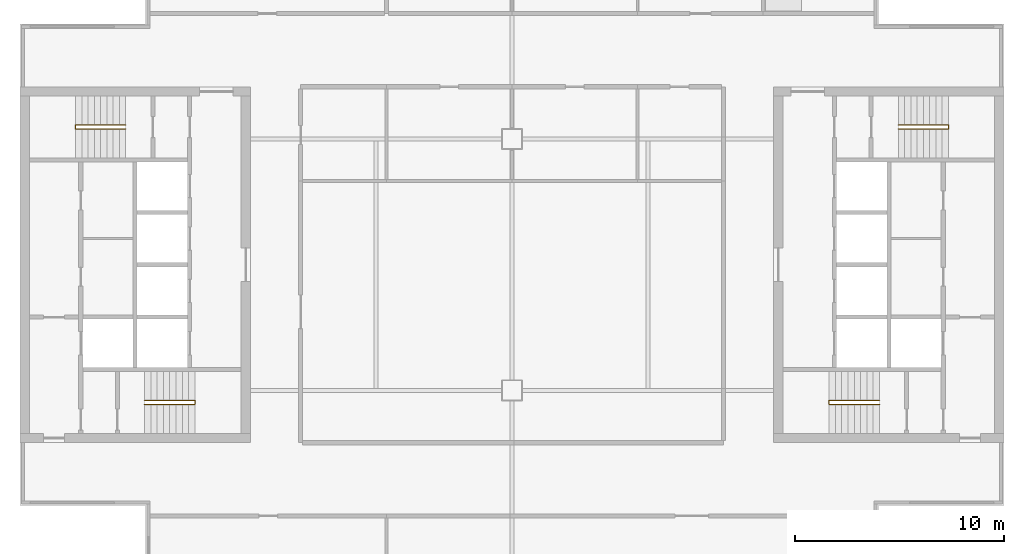
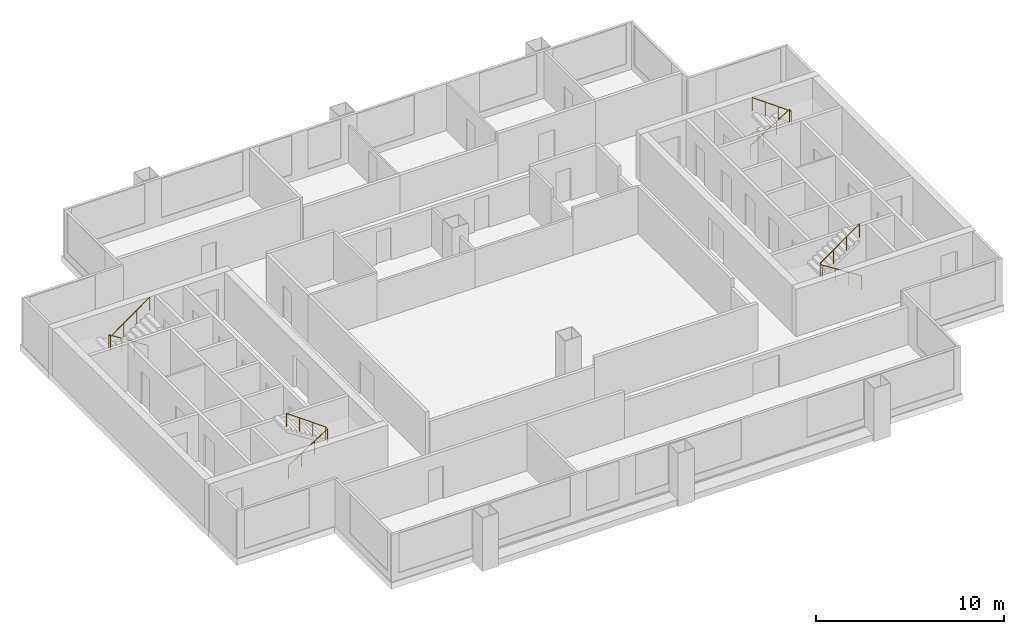
# One storey, part 6 of 7: 4 railings.
"""IFC4 building model written with IfcOpenShell, lengths in metres."""

import ifcopenshell
import ifcopenshell.guid

model = None  # the IFC model being written
_history = None  # IfcOwnerHistory: only IFC2X3 demands one
_inside = {}  # id of a spatial element -> (the spatial element, [elements in it])
_under = {}  # id of a project, library or spatial element -> (it, [spatial elements below it])
_declared = {}  # id of a project -> (the project, [libraries it declares])
_typed = {}  # id of a type object -> (the type object, [elements of that type])
_made_of = {}  # id of a material, layer set ... -> (it, [elements and type objects made of it])


def new_model(schema):
    """Start an empty IFC model of exactly this schema.

    Asked for "IFC4X3", IfcOpenShell would pick the latest addendum, in which some entities
    have other attributes; the version numbers below select the first issue.
    IFC2X3 requires an IfcOwnerHistory on every rooted entity: one is made here for all.
    """
    global model, _history
    if schema == "IFC4X3":
        model = ifcopenshell.file(schema_version=(4, 3, 0, 0))
    else:
        model = ifcopenshell.file(schema=schema)
    _inside.clear()
    _under.clear()
    _declared.clear()
    _typed.clear()
    _made_of.clear()
    _history = None
    if model.schema == "IFC2X3":
        org = make("IfcOrganization", Name="unknown")
        user = make(
            "IfcPersonAndOrganization",
            ThePerson=make("IfcPerson", FamilyName="unknown"),
            TheOrganization=org,
        )
        app = make(
            "IfcApplication",
            ApplicationDeveloper=org,
            Version="unknown",
            ApplicationFullName="unknown",
            ApplicationIdentifier="unknown",
        )
        _history = make(
            "IfcOwnerHistory",
            OwningUser=user,
            OwningApplication=app,
            ChangeAction="ADDED",
            CreationDate=0,
        )
    return model


def make(cls, **values):
    """One entity of the class cls with the attributes given. An attribute that is None is left unset."""
    return model.create_entity(
        cls, **{name: value for name, value in values.items() if value is not None}
    )


def rooted(cls, **values):
    """An entity with a GlobalId (a new one), such as an element, a storey or a relation."""
    return make(cls, GlobalId=ifcopenshell.guid.new(), OwnerHistory=_history, **values)


def si_unit(unit_type, name, prefix=None):
    """IfcSIUnit, for example si_unit("LENGTHUNIT", "METRE", prefix="MILLI")."""
    return make("IfcSIUnit", UnitType=unit_type, Prefix=prefix, Name=name)


def assignment(units):
    """IfcUnitAssignment: the units of a project."""
    return None if units is None else make("IfcUnitAssignment", Units=units)


def point(xyz):
    """IfcCartesianPoint."""
    return None if xyz is None else make("IfcCartesianPoint", Coordinates=xyz)


def direction(xyz):
    """IfcDirection."""
    return None if xyz is None else make("IfcDirection", DirectionRatios=xyz)


def frame(location, z_axis=None, x_axis=None):
    """IfcAxis2Placement3D, a coordinate frame: its origin and axes. An axis left out is left unset."""
    return make(
        "IfcAxis2Placement3D",
        Location=point(location),
        Axis=direction(z_axis),
        RefDirection=direction(x_axis),
    )


def frame_2d(location, x_axis=None):
    """IfcAxis2Placement2D, a coordinate frame in the plane: its origin and x axis."""
    return make(
        "IfcAxis2Placement2D", Location=point(location), RefDirection=direction(x_axis)
    )


def origin():
    """The frame at (0, 0, 0) with its axes left unset."""
    return frame((0.0, 0.0, 0.0))


def origin_2d():
    """The frame at (0, 0) in the plane with its x axis left unset."""
    return frame_2d((0.0, 0.0))


def place(relative_to, where):
    """IfcLocalPlacement: puts the frame where relative to a parent placement (None: the world)."""
    return make(
        "IfcLocalPlacement", PlacementRelTo=relative_to, RelativePlacement=where
    )


def context(
    kind, dimensions, precision=None, world=None, true_north=None, identifier=None
):
    """IfcGeometricRepresentationContext, for example the 3D "Model" context."""
    return make(
        "IfcGeometricRepresentationContext",
        ContextIdentifier=identifier,
        ContextType=kind,
        CoordinateSpaceDimension=dimensions,
        Precision=precision,
        WorldCoordinateSystem=world,
        TrueNorth=true_north,
    )


def subcontext(parent, identifier, kind, view, scale=None):
    """IfcGeometricRepresentationSubContext, for example "Body" below "Model"."""
    return make(
        "IfcGeometricRepresentationSubContext",
        ContextIdentifier=identifier,
        ContextType=kind,
        ParentContext=parent,
        TargetScale=scale,
        TargetView=view,
    )


def project(units=None, contexts=None):
    """IfcProject with its units and contexts."""
    return rooted(
        "IfcProject",
        Name="project",
        RepresentationContexts=contexts,
        UnitsInContext=assignment(units),
    )


def spatial(cls, under=None, at=None, **own):
    """A site, building, storey or space (cls), placed at a placement, below another one or the project."""
    s = rooted(cls, ObjectPlacement=at, **own)
    if under is not None:
        _under.setdefault(under.id(), (under, []))[1].append(s)
    return s


def profile(cls, at=None, kind="AREA", **sizes):
    """A parametric profile (cls). Its sizes go by their IFC names, for example OverallWidth=200.0."""
    return make(cls, ProfileType=kind, Position=at, **sizes)


def circle(**sizes):
    """IfcCircleProfileDef."""
    return profile("IfcCircleProfileDef", **sizes)


def extrude(swept, where, along, depth):
    """IfcExtrudedAreaSolid: the profile swept, set in the frame where, extruded along a direction by depth."""
    return make(
        "IfcExtrudedAreaSolid",
        SweptArea=swept,
        Position=where,
        ExtrudedDirection=direction(along),
        Depth=depth,
    )


def shape(context_of_items, identifier, shape_type, items):
    """IfcShapeRepresentation: the items that make up one representation, for example the "Body"."""
    return make(
        "IfcShapeRepresentation",
        ContextOfItems=context_of_items,
        RepresentationIdentifier=identifier,
        RepresentationType=shape_type,
        Items=items,
    )


def material(Name=None, Category=None):
    """IfcMaterial."""
    return make("IfcMaterial", Name=Name, Category=Category)


def made_of(thing, what):
    """Note that an element or type object is made of a material, layer set ...; save() writes the relation."""
    if what is not None:
        _made_of.setdefault(what.id(), (what, []))[1].append(thing)
    return thing


def type_object(cls, material=None, **own):
    """A type object (cls), such as IfcWallType, which elements share."""
    return made_of(rooted(cls, **own), material)


def element(
    cls,
    number,
    at=None,
    inside=None,
    cuts=None,
    type_object=None,
    material=None,
    context=None,
    identifier="Body",
    shape_type=None,
    held_by="IfcProductDefinitionShape",
    body=None,
    shapes=None,
    **own,
):
    """One element of the class cls, such as IfcWall. Its Tag is "e" and its number.

    at: its placement. inside: the storey or other place that contains it. cuts: it is an
    opening in that element (IfcRelVoidsElement). A single representation is given by context,
    identifier, shape_type and body (its items); several are given by shapes. held_by: the class
    of the entity that holds the representations. save() writes the other relations.
    """
    e = rooted(cls, Tag="e%d" % number, ObjectPlacement=at, **own)
    if body is not None:
        shapes = [shape(context, identifier, shape_type, body)]
    if shapes is not None:
        e.Representation = make(held_by, Representations=shapes)
    if inside is not None:
        _inside.setdefault(inside.id(), (inside, []))[1].append(e)
    if cuts is not None:
        rooted(
            "IfcRelVoidsElement", RelatingBuildingElement=cuts, RelatedOpeningElement=e
        )
    if type_object is not None:
        _typed.setdefault(type_object.id(), (type_object, []))[1].append(e)
    return made_of(e, material)


def aggregate(whole, parts):
    """IfcRelAggregates: a whole, such as a stair, and the parts it consists of."""
    return rooted("IfcRelAggregates", RelatingObject=whole, RelatedObjects=parts)


def save(model, path):
    """Write the relations noted so far, then the file.

    IfcRelAggregates (storeys below a building ...), IfcRelContainedInSpatialStructure (elements
    in a storey), IfcRelDefinesByType, IfcRelAssociatesMaterial and IfcRelDeclares: one each for
    every whole, place, type object, material and project.
    """
    for whole, parts in _under.values():
        aggregate(whole, parts)
    for where, things in _inside.values():
        rooted(
            "IfcRelContainedInSpatialStructure",
            RelatedElements=things,
            RelatingStructure=where,
        )
    for kind, things in _typed.values():
        rooted("IfcRelDefinesByType", RelatedObjects=things, RelatingType=kind)
    for what, things in _made_of.values():
        rooted("IfcRelAssociatesMaterial", RelatedObjects=things, RelatingMaterial=what)
    for by, libraries in _declared.values():
        rooted("IfcRelDeclares", RelatingContext=by, RelatedDefinitions=libraries)
    model.write(path)


model = new_model("IFC4")

# Units and contexts
model_context = context("Model", 3, precision=1e-05, world=origin(), true_north=direction((0.0, 1.0)))
body_context = subcontext(model_context, "Body", "Model", "MODEL_VIEW")
ifc_project = project(units=[si_unit("LENGTHUNIT", "METRE"), si_unit("AREAUNIT", "SQUARE_METRE"), si_unit("VOLUMEUNIT", "CUBIC_METRE"), si_unit("PLANEANGLEUNIT", "RADIAN"), si_unit("MASSUNIT", "GRAM", prefix="KILO")], contexts=[model_context])

# Site, building, storey
site_placement = place(None, origin())
site = spatial("IfcSite", under=ifc_project, at=site_placement, CompositionType="ELEMENT")
building_placement = place(site_placement, origin())
building = spatial("IfcBuilding", under=site, at=building_placement, Name="Kitamizu Gate Tower and Museum", CompositionType="ELEMENT")
storey_placement = place(building_placement, frame((0.0, 0.0, 245.550048828125)))
storey = spatial("IfcBuildingStorey", under=building, at=storey_placement, Name="L66", CompositionType="ELEMENT", Elevation=245.550048828125)

# Railings
ifc_material = material(Name="Stainless steel SUS304", Category="steel")
railing_type = type_object("IfcRailingType", Name="Stair handrail 900", PredefinedType="HANDRAIL", material=ifc_material)
railing_1_placement = place(storey_placement, frame((18.449951171875, 23.324951171875, 0.191650390625)))
element("IfcRailing", 1, at=railing_1_placement, inside=storey, type_object=railing_type, Name="Stair handrail ST1", PredefinedType="HANDRAIL", context=body_context, shape_type="SweptSolid", body=[
    extrude(circle(Radius=0.02392578125, at=origin_2d()), frame((0.0, 0.0, 0.8759765625), z_axis=(0.842731908877, 0.0, 0.538333474494), x_axis=(0.0, 1.0, 0.0)), (0.0, 0.0, 1.0), 2.84814453125),
    extrude(circle(Radius=0.02392578125, at=origin_2d()), frame((2.400146484375, 0.0, 2.4091796875), z_axis=(0.0, 1.0, 0.0), x_axis=(-1.0, 0.0, 0.0)), (0.0, 0.0, 1.0), 0.199951171875),
    extrude(circle(Radius=0.02392578125, at=origin_2d()), frame((2.400146484375, 0.199951171875, 2.4091796875), z_axis=(-0.812016594614, 0.0, 0.583634346205), x_axis=(0.0, -1.0, 0.0)), (0.0, 0.0, 1.0), 2.955810546875),
    extrude(circle(Radius=0.02099609375, at=origin_2d()), origin(), (0.0, 0.0, 1.0), 0.851806640625),
    extrude(circle(Radius=0.02099609375, at=origin_2d()), frame((0.800048828125, 0.0, 0.510986328125)), (0.0, 0.0, 1.0), 0.851806640625),
    extrude(circle(Radius=0.02099609375, at=origin_2d()), frame((1.60009765625, 0.0, 1.022216796875)), (0.0, 0.0, 1.0), 0.851806640625),
    extrude(circle(Radius=0.02099609375, at=origin_2d()), frame((2.400146484375, 0.0, 1.533203125)), (0.0, 0.0, 1.0), 0.851806640625),
    extrude(circle(Radius=0.02099609375, at=origin_2d()), frame((2.400146484375, 0.199951171875, 1.533203125)), (0.0, 0.0, 1.0), 0.851806640625),
    extrude(circle(Radius=0.02099609375, at=origin_2d()), frame((1.60009765625, 0.199951171875, 2.108154296875)), (0.0, 0.0, 1.0), 0.851806640625),
    extrude(circle(Radius=0.02099609375, at=origin_2d()), frame((0.800048828125, 0.199951171875, 2.683349609375)), (0.0, 0.0, 1.0), 0.851806640625),
    extrude(circle(Radius=0.02099609375, at=origin_2d()), frame((0.0, 0.199951171875, 3.25830078125)), (0.0, 0.0, 1.0), 0.851806640625),
])
railing_2_placement = place(storey_placement, frame((17.550048828125, 36.675048828125, 0.191650390625)))
element("IfcRailing", 2, at=railing_2_placement, inside=storey, type_object=railing_type, Name="Stair handrail ST2", PredefinedType="HANDRAIL", context=body_context, shape_type="SweptSolid", body=[
    extrude(circle(Radius=0.02392578125, at=origin_2d()), frame((0.0, 0.0, 0.8759765625), z_axis=(-0.842731908877, 0.0, 0.538333474494), x_axis=(0.0, -1.0, 0.0)), (0.0, 0.0, 1.0), 2.84814453125),
    extrude(circle(Radius=0.02392578125, at=origin_2d()), frame((-2.400146484375, 0.0, 2.4091796875), z_axis=(0.0, -1.0, 0.0), x_axis=(1.0, 0.0, 0.0)), (0.0, 0.0, 1.0), 0.199951171875),
    extrude(circle(Radius=0.02392578125, at=origin_2d()), frame((-2.400146484375, -0.199951171875, 2.4091796875), z_axis=(0.812016594614, 0.0, 0.583634346205), x_axis=(0.0, 1.0, 0.0)), (0.0, 0.0, 1.0), 2.955810546875),
    extrude(circle(Radius=0.02099609375, at=origin_2d()), origin(), (0.0, 0.0, 1.0), 0.851806640625),
    extrude(circle(Radius=0.02099609375, at=origin_2d()), frame((-0.800048828125, 0.0, 0.510986328125)), (0.0, 0.0, 1.0), 0.851806640625),
    extrude(circle(Radius=0.02099609375, at=origin_2d()), frame((-1.60009765625, 0.0, 1.022216796875)), (0.0, 0.0, 1.0), 0.851806640625),
    extrude(circle(Radius=0.02099609375, at=origin_2d()), frame((-2.400146484375, 0.0, 1.533203125)), (0.0, 0.0, 1.0), 0.851806640625),
    extrude(circle(Radius=0.02099609375, at=origin_2d()), frame((-2.400146484375, -0.199951171875, 1.533203125)), (0.0, 0.0, 1.0), 0.851806640625),
    extrude(circle(Radius=0.02099609375, at=origin_2d()), frame((-1.60009765625, -0.199951171875, 2.108154296875)), (0.0, 0.0, 1.0), 0.851806640625),
    extrude(circle(Radius=0.02099609375, at=origin_2d()), frame((-0.800048828125, -0.199951171875, 2.683349609375)), (0.0, 0.0, 1.0), 0.851806640625),
    extrude(circle(Radius=0.02099609375, at=origin_2d()), frame((0.0, -0.199951171875, 3.25830078125)), (0.0, 0.0, 1.0), 0.851806640625),
])
railing_3_placement = place(storey_placement, frame((53.550048828125, 23.324951171875, 0.191650390625)))
element("IfcRailing", 3, at=railing_3_placement, inside=storey, type_object=railing_type, Name="Stair handrail ST3", PredefinedType="HANDRAIL", context=body_context, shape_type="SweptSolid", body=[
    extrude(circle(Radius=0.02392578125, at=origin_2d()), frame((0.0, 0.0, 0.8759765625), z_axis=(-0.842731908877, 0.0, 0.538333474494), x_axis=(0.0, -1.0, 0.0)), (0.0, 0.0, 1.0), 2.84814453125),
    extrude(circle(Radius=0.02392578125, at=origin_2d()), frame((-2.400146484375, 0.0, 2.4091796875), z_axis=(0.0, 1.0, 0.0), x_axis=(-1.0, 0.0, 0.0)), (0.0, 0.0, 1.0), 0.199951171875),
    extrude(circle(Radius=0.02392578125, at=origin_2d()), frame((-2.400146484375, 0.199951171875, 2.4091796875), z_axis=(0.812016594614, 0.0, 0.583634346205), x_axis=(0.0, 1.0, 0.0)), (0.0, 0.0, 1.0), 2.955810546875),
    extrude(circle(Radius=0.02099609375, at=origin_2d()), origin(), (0.0, 0.0, 1.0), 0.851806640625),
    extrude(circle(Radius=0.02099609375, at=origin_2d()), frame((-0.800048828125, 0.0, 0.510986328125)), (0.0, 0.0, 1.0), 0.851806640625),
    extrude(circle(Radius=0.02099609375, at=origin_2d()), frame((-1.60009765625, 0.0, 1.022216796875)), (0.0, 0.0, 1.0), 0.851806640625),
    extrude(circle(Radius=0.02099609375, at=origin_2d()), frame((-2.400146484375, 0.0, 1.533203125)), (0.0, 0.0, 1.0), 0.851806640625),
    extrude(circle(Radius=0.02099609375, at=origin_2d()), frame((-2.400146484375, 0.199951171875, 1.533203125)), (0.0, 0.0, 1.0), 0.851806640625),
    extrude(circle(Radius=0.02099609375, at=origin_2d()), frame((-1.60009765625, 0.199951171875, 2.108154296875)), (0.0, 0.0, 1.0), 0.851806640625),
    extrude(circle(Radius=0.02099609375, at=origin_2d()), frame((-0.800048828125, 0.199951171875, 2.683349609375)), (0.0, 0.0, 1.0), 0.851806640625),
    extrude(circle(Radius=0.02099609375, at=origin_2d()), frame((0.0, 0.199951171875, 3.25830078125)), (0.0, 0.0, 1.0), 0.851806640625),
])
railing_4_placement = place(storey_placement, frame((54.449951171875, 36.675048828125, 0.191650390625)))
element("IfcRailing", 4, at=railing_4_placement, inside=storey, type_object=railing_type, Name="Stair handrail ST4", PredefinedType="HANDRAIL", context=body_context, shape_type="SweptSolid", body=[
    extrude(circle(Radius=0.02392578125, at=origin_2d()), frame((0.0, 0.0, 0.8759765625), z_axis=(0.842731908877, 0.0, 0.538333474494), x_axis=(0.0, 1.0, 0.0)), (0.0, 0.0, 1.0), 2.84814453125),
    extrude(circle(Radius=0.02392578125, at=origin_2d()), frame((2.400146484375, 0.0, 2.4091796875), z_axis=(0.0, -1.0, 0.0), x_axis=(1.0, 0.0, 0.0)), (0.0, 0.0, 1.0), 0.199951171875),
    extrude(circle(Radius=0.02392578125, at=origin_2d()), frame((2.400146484375, -0.199951171875, 2.4091796875), z_axis=(-0.812016594614, 0.0, 0.583634346205), x_axis=(0.0, -1.0, 0.0)), (0.0, 0.0, 1.0), 2.955810546875),
    extrude(circle(Radius=0.02099609375, at=origin_2d()), origin(), (0.0, 0.0, 1.0), 0.851806640625),
    extrude(circle(Radius=0.02099609375, at=origin_2d()), frame((0.800048828125, 0.0, 0.510986328125)), (0.0, 0.0, 1.0), 0.851806640625),
    extrude(circle(Radius=0.02099609375, at=origin_2d()), frame((1.60009765625, 0.0, 1.022216796875)), (0.0, 0.0, 1.0), 0.851806640625),
    extrude(circle(Radius=0.02099609375, at=origin_2d()), frame((2.400146484375, 0.0, 1.533203125)), (0.0, 0.0, 1.0), 0.851806640625),
    extrude(circle(Radius=0.02099609375, at=origin_2d()), frame((2.400146484375, -0.199951171875, 1.533203125)), (0.0, 0.0, 1.0), 0.851806640625),
    extrude(circle(Radius=0.02099609375, at=origin_2d()), frame((1.60009765625, -0.199951171875, 2.108154296875)), (0.0, 0.0, 1.0), 0.851806640625),
    extrude(circle(Radius=0.02099609375, at=origin_2d()), frame((0.800048828125, -0.199951171875, 2.683349609375)), (0.0, 0.0, 1.0), 0.851806640625),
    extrude(circle(Radius=0.02099609375, at=origin_2d()), frame((0.0, -0.199951171875, 3.25830078125)), (0.0, 0.0, 1.0), 0.851806640625),
])

save(model, "model.ifc")
